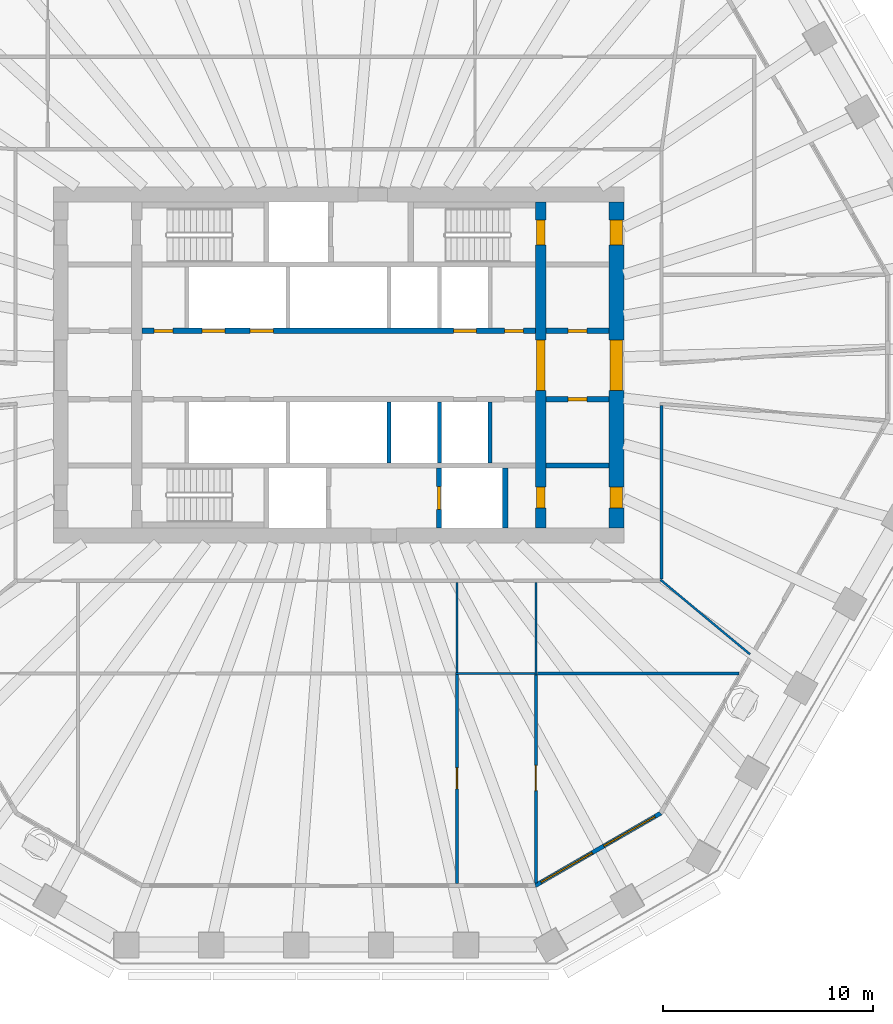
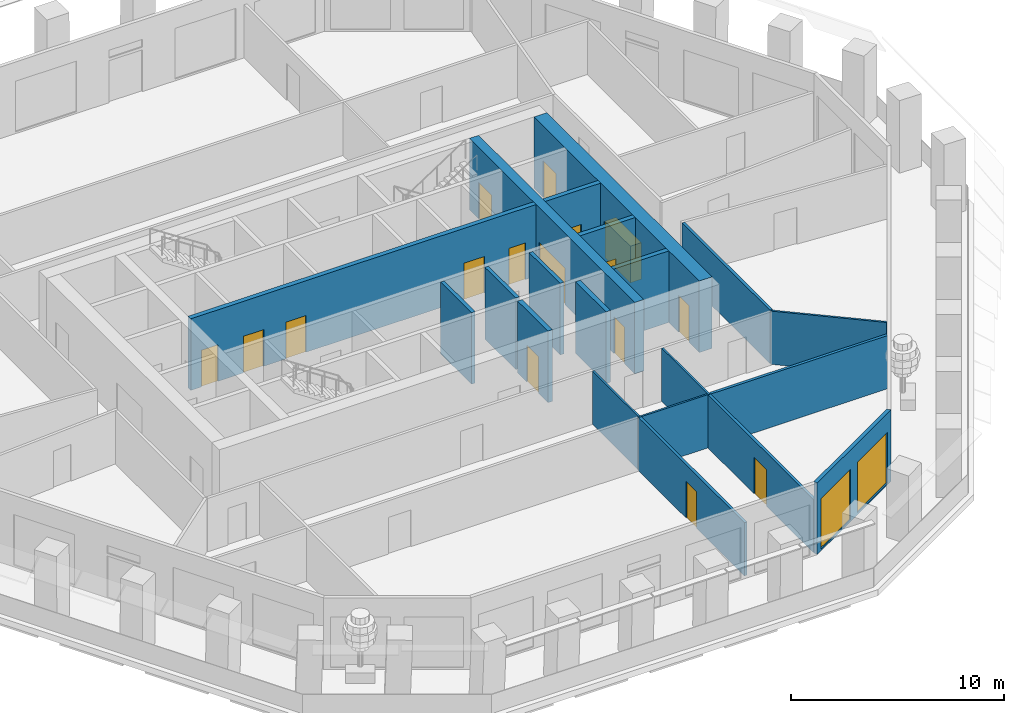
# One storey, part 5 of 12: 20 walls, 16 doors, 2 windows, 18 openings.
"""IFC4 building model written with IfcOpenShell, lengths in metres."""

from ifc_helpers import new_model, si_unit, direction, frame, frame_2d, origin, place, context, subcontext, project, spatial, polyline, rectangle, outline, extrude, material, layer, layer_set, type_object, element, fill, save


model = new_model("IFC4")

# Units and contexts
model_context = context("Model", 3, precision=1e-05, world=origin(), true_north=direction((0.0, 1.0)))
body_context = subcontext(model_context, "Body", "Model", "MODEL_VIEW")
ifc_project = project(units=[si_unit("LENGTHUNIT", "METRE"), si_unit("AREAUNIT", "SQUARE_METRE"), si_unit("VOLUMEUNIT", "CUBIC_METRE"), si_unit("PLANEANGLEUNIT", "RADIAN"), si_unit("MASSUNIT", "GRAM", prefix="KILO")], contexts=[model_context])

# Site, building, storey
site_placement = place(None, origin())
site = spatial("IfcSite", under=ifc_project, at=site_placement, CompositionType="ELEMENT")
building_placement = place(site_placement, origin())
building = spatial("IfcBuilding", under=site, at=building_placement, Name="Frailejon Research Tower", CompositionType="ELEMENT")
storey_placement = place(building_placement, frame((0.0, 0.0, 171.60009765625)))
storey = spatial("IfcBuildingStorey", under=building, at=storey_placement, Name="L37", CompositionType="ELEMENT", Elevation=171.60009765625)

# Wall, openings, doors
ifc_material_1 = material(Name="Concrete C60/75", Category="concrete")
ifc_layer_1 = layer(ifc_material_1, 0.5)
ifc_layer_set_1 = layer_set([ifc_layer_1], Name="Core shear wall 500 C60/75")
wall_type_1 = type_object("IfcWallType", Name="Core shear wall 500 C60/75", PredefinedType="SHEAR", material=ifc_layer_set_1)
wall_1_placement = place(storey_placement, frame((9.60009765625, -7.75, 0.0), z_axis=(0.0, 0.0, 1.0), x_axis=(0.0, 1.0, 0.0)))
wall_1 = element("IfcWall", 1, at=wall_1_placement, inside=storey, type_object=wall_type_1, Name="Core shear wall", PredefinedType="SHEAR", context=body_context, shape_type="SweptSolid", body=[
    extrude(rectangle(XDim=15.5, YDim=0.5, at=frame_2d((7.75, 0.0))), origin(), (0.0, 0.0, 1.0), 4.099853515625),
])
opening_1_placement = place(wall_1_placement, frame((6.550048828125, 0.0, 0.0)))
opening_1 = element("IfcOpeningElement", 2, at=opening_1_placement, cuts=wall_1, Name="Opening D2", PredefinedType="OPENING", context=body_context, shape_type="SweptSolid", body=[
    extrude(rectangle(XDim=2.39990234375, YDim=2.10009765625, at=frame_2d((1.199951171875, 1.050048828125))), frame((0.0, 0.260009765625, 0.0), z_axis=(0.0, -1.0, 0.0), x_axis=(1.0, 0.0, 0.0)), (0.0, 0.0, 1.0), 0.52001953125),
])
opening_2_placement = place(wall_1_placement, frame((13.449951171875, 0.0, 0.0)))
opening_2 = element("IfcOpeningElement", 3, at=opening_2_placement, cuts=wall_1, Name="Opening D1", PredefinedType="OPENING", context=body_context, shape_type="SweptSolid", body=[
    extrude(rectangle(XDim=1.199951171875, YDim=2.10009765625, at=frame_2d((0.60009765625, 1.050048828125))), frame((0.0, 0.260009765625, 0.0), z_axis=(0.0, -1.0, 0.0), x_axis=(1.0, 0.0, 0.0)), (0.0, 0.0, 1.0), 0.52001953125),
])
opening_3_placement = place(wall_1_placement, frame((0.949951171875, 0.0, 0.0)))
opening_3 = element("IfcOpeningElement", 4, at=opening_3_placement, cuts=wall_1, Name="Opening D4", PredefinedType="OPENING", context=body_context, shape_type="SweptSolid", body=[
    extrude(rectangle(XDim=1.0, YDim=2.10009765625, at=frame_2d((0.5, 1.050048828125))), frame((0.0, 0.260009765625, 0.0), z_axis=(0.0, -1.0, 0.0), x_axis=(1.0, 0.0, 0.0)), (0.0, 0.0, 1.0), 0.52001953125),
])
ifc_material_2 = material(Name="Steel", Category="steel")
door_type_1 = type_object("IfcDoorType", Name="Lobby double door", OperationType="DOUBLE_DOOR_SINGLE_SWING", PredefinedType="DOOR", material=ifc_material_2)
door_1_placement = place(opening_1_placement, origin())
door_1 = element("IfcDoor", 5, at=door_1_placement, inside=storey, type_object=door_type_1, Name="Lobby door", OperationType="DOUBLE_DOOR_SINGLE_SWING", OverallHeight=2.10009765625, OverallWidth=2.39990234375, PredefinedType="DOOR", context=body_context, shape_type="SweptSolid", body=[
    extrude(rectangle(XDim=2.39990234375, YDim=2.10009765625, at=frame_2d((1.199951171875, 1.050048828125))), frame((0.0, 0.199951171875, 0.0), z_axis=(0.0, -1.0, 0.0), x_axis=(1.0, 0.0, 0.0)), (0.0, 0.0, 1.0), 0.39990234375),
])
fill(opening_1, door_1)
ifc_material_3 = material(Name="Steel", Category="steel")
door_type_2 = type_object("IfcDoorType", Name="Service door", OperationType="SINGLE_SWING_LEFT", PredefinedType="DOOR", material=ifc_material_3)
door_2_placement = place(opening_3_placement, origin())
door_2 = element("IfcDoor", 6, at=door_2_placement, inside=storey, type_object=door_type_2, Name="Riser door", OperationType="SINGLE_SWING_LEFT", OverallHeight=2.10009765625, OverallWidth=1.0, PredefinedType="DOOR", context=body_context, shape_type="SweptSolid", body=[
    extrude(rectangle(XDim=1.0, YDim=2.10009765625, at=frame_2d((0.5, 1.050048828125))), frame((0.0, 0.199951171875, 0.0), z_axis=(0.0, -1.0, 0.0), x_axis=(1.0, 0.0, 0.0)), (0.0, 0.0, 1.0), 0.39990234375),
])
fill(opening_3, door_2)
ifc_material_4 = material(Name="Steel", Category="steel")
door_type_3 = type_object("IfcDoorType", Name="Stair door", OperationType="SINGLE_SWING_LEFT", PredefinedType="DOOR", material=ifc_material_4)
door_3_placement = place(opening_2_placement, origin())
door_3 = element("IfcDoor", 7, at=door_3_placement, inside=storey, type_object=door_type_3, Name="Stair door ST3", OperationType="SINGLE_SWING_LEFT", OverallHeight=2.10009765625, OverallWidth=1.199951171875, PredefinedType="DOOR", context=body_context, shape_type="SweptSolid", body=[
    extrude(rectangle(XDim=1.199951171875, YDim=2.10009765625, at=frame_2d((0.60009765625, 1.050048828125))), frame((0.0, 0.199951171875, 0.0), z_axis=(0.0, -1.0, 0.0), x_axis=(1.0, 0.0, 0.0)), (0.0, 0.0, 1.0), 0.39990234375),
])
fill(opening_2, door_3)

ifc_material_5 = material(Name="Concrete C60/75", Category="concrete")
ifc_layer_2 = layer(ifc_material_5, 0.699951171875)
ifc_layer_set_2 = layer_set([ifc_layer_2], Name="Core shear wall 700 C60/75")
wall_type_2 = type_object("IfcWallType", Name="Core shear wall 700 C60/75", PredefinedType="SHEAR", material=ifc_layer_set_2)
wall_2_placement = place(storey_placement, frame((13.199951171875, -7.75, 0.0), z_axis=(0.0, 0.0, 1.0), x_axis=(0.0, 1.0, 0.0)))
wall_2 = element("IfcWall", 8, at=wall_2_placement, inside=storey, type_object=wall_type_2, Name="Core shear wall", PredefinedType="SHEAR", context=body_context, shape_type="SweptSolid", body=[
    extrude(rectangle(XDim=15.5, YDim=0.699951171875, at=frame_2d((7.75, 0.0))), origin(), (0.0, 0.0, 1.0), 4.099853515625),
])
opening_4_placement = place(wall_2_placement, frame((6.550048828125, 0.0, 0.0)))
opening_4 = element("IfcOpeningElement", 9, at=opening_4_placement, cuts=wall_2, Name="Opening D2", PredefinedType="OPENING", context=body_context, shape_type="SweptSolid", body=[
    extrude(rectangle(XDim=2.39990234375, YDim=2.10009765625, at=frame_2d((1.199951171875, 1.050048828125))), frame((0.0, 0.35986328125, 0.0), z_axis=(0.0, -1.0, 0.0), x_axis=(1.0, 0.0, 0.0)), (0.0, 0.0, 1.0), 0.719970703125),
])
opening_5_placement = place(wall_2_placement, frame((13.449951171875, 0.0, 0.0)))
opening_5 = element("IfcOpeningElement", 10, at=opening_5_placement, cuts=wall_2, Name="Opening D7", PredefinedType="OPENING", context=body_context, shape_type="SweptSolid", body=[
    extrude(rectangle(XDim=1.199951171875, YDim=2.10009765625, at=frame_2d((0.60009765625, 1.050048828125))), frame((0.0, 0.35986328125, 0.0), z_axis=(0.0, -1.0, 0.0), x_axis=(1.0, 0.0, 0.0)), (0.0, 0.0, 1.0), 0.719970703125),
])
opening_6_placement = place(wall_2_placement, frame((0.949951171875, 0.0, 0.0)))
opening_6 = element("IfcOpeningElement", 11, at=opening_6_placement, cuts=wall_2, Name="Opening D4", PredefinedType="OPENING", context=body_context, shape_type="SweptSolid", body=[
    extrude(rectangle(XDim=1.0, YDim=2.10009765625, at=frame_2d((0.5, 1.050048828125))), frame((0.0, 0.35986328125, 0.0), z_axis=(0.0, -1.0, 0.0), x_axis=(1.0, 0.0, 0.0)), (0.0, 0.0, 1.0), 0.719970703125),
])
door_4_placement = place(opening_4_placement, origin())
door_4 = element("IfcDoor", 12, at=door_4_placement, inside=storey, type_object=door_type_1, Name="Lobby door", OperationType="DOUBLE_DOOR_SINGLE_SWING", OverallHeight=2.10009765625, OverallWidth=2.39990234375, PredefinedType="DOOR", context=body_context, shape_type="SweptSolid", body=[
    extrude(rectangle(XDim=2.39990234375, YDim=2.10009765625, at=frame_2d((1.199951171875, 1.050048828125))), frame((0.0, 0.300048828125, 0.0), z_axis=(0.0, -1.0, 0.0), x_axis=(1.0, 0.0, 0.0)), (0.0, 0.0, 1.0), 0.60009765625),
])
fill(opening_4, door_4)
door_5_placement = place(opening_6_placement, origin())
door_5 = element("IfcDoor", 13, at=door_5_placement, inside=storey, type_object=door_type_2, Name="Store door", OperationType="SINGLE_SWING_RIGHT", OverallHeight=2.10009765625, OverallWidth=1.0, PredefinedType="DOOR", context=body_context, shape_type="SweptSolid", body=[
    extrude(rectangle(XDim=1.0, YDim=2.10009765625, at=frame_2d((0.5, 1.050048828125))), frame((0.0, 0.300048828125, 0.0), z_axis=(0.0, -1.0, 0.0), x_axis=(1.0, 0.0, 0.0)), (0.0, 0.0, 1.0), 0.60009765625),
])
fill(opening_6, door_5)
ifc_material_6 = material(Name="Steel", Category="steel")
door_type_4 = type_object("IfcDoorType", Name="Stair exit door", OperationType="SINGLE_SWING_LEFT", PredefinedType="DOOR", material=ifc_material_6)
door_6_placement = place(opening_5_placement, origin())
door_6 = element("IfcDoor", 14, at=door_6_placement, inside=storey, type_object=door_type_4, Name="Stair exit door ST3", OperationType="SINGLE_SWING_RIGHT", OverallHeight=2.10009765625, OverallWidth=1.199951171875, PredefinedType="DOOR", context=body_context, shape_type="SweptSolid", body=[
    extrude(rectangle(XDim=1.199951171875, YDim=2.10009765625, at=frame_2d((0.60009765625, 1.050048828125))), frame((0.0, 0.300048828125, 0.0), z_axis=(0.0, -1.0, 0.0), x_axis=(1.0, 0.0, 0.0)), (0.0, 0.0, 1.0), 0.60009765625),
])
fill(opening_5, door_6)

# Walls
ifc_material_7 = material(Name="Gypsum board and masonry partition", Category="masonry")
ifc_layer_3 = layer(ifc_material_7, 0.14990234375)
ifc_layer_set_3 = layer_set([ifc_layer_3], Name="Corridor wall EI 60, gypsum on steel studs 150")
wall_type_3 = type_object("IfcWallType", Name="Corridor wall EI 60, gypsum on steel studs 150", PredefinedType="PARTITIONING", material=ifc_layer_set_3)
wall_3_placement = place(storey_placement, frame((15.35009765625, -10.175048828125, 0.0), z_axis=(0.0, 0.0, 1.0), x_axis=(0.0, 1.0, 0.0)))
element("IfcWall", 15, at=wall_3_placement, inside=storey, type_object=wall_type_3, Name="T:IW:L37:001", PredefinedType="PARTITIONING", context=body_context, shape_type="SweptSolid", body=[
    extrude(rectangle(XDim=8.24755859375, YDim=0.14990234375, at=frame_2d((4.123779296875, 0.0))), origin(), (0.0, 0.0, 1.0), 3.0498046875),
])
ifc_material_8 = material(Name="Gypsum board and masonry partition", Category="masonry")
ifc_layer_4 = layer(ifc_material_8, 0.14990234375)
ifc_layer_set_4 = layer_set([ifc_layer_4], Name="Laboratory partition, blockwork 150")
wall_type_4 = type_object("IfcWallType", Name="Laboratory partition, blockwork 150", PredefinedType="PARTITIONING", material=ifc_layer_set_4)
wall_4_placement = place(storey_placement, frame((9.452392578125, -14.64990234375, 0.0), z_axis=(0.0, 0.0, 1.0), x_axis=(1.0, 0.0, 0.0)))
element("IfcWall", 16, at=wall_4_placement, inside=storey, type_object=wall_type_4, Name="T:IW:L37:021", PredefinedType="PARTITIONING", context=body_context, shape_type="SweptSolid", body=[
    extrude(rectangle(XDim=9.5712890625, YDim=0.14990234375, at=frame_2d((4.78564453125, 0.0))), origin(), (0.0, 0.0, 1.0), 3.0498046875),
])

# Wall, opening, door
wall_5_placement = place(storey_placement, frame((5.62646484375, -24.629638671875, 0.0), z_axis=(0.0, 0.0, 1.0), x_axis=(0.0, 1.0, 0.0)))
wall_5 = element("IfcWall", 17, at=wall_5_placement, inside=storey, type_object=wall_type_4, Name="T:IW:L37:023", PredefinedType="PARTITIONING", context=body_context, shape_type="SweptSolid", body=[
    extrude(rectangle(XDim=9.9296875, YDim=0.14990234375, at=frame_2d((4.96484375, 0.0))), origin(), (0.0, 0.0, 1.0), 3.0498046875),
])
opening_7_placement = place(wall_5_placement, frame((4.48974609375, 0.0, 0.0)))
opening_7 = element("IfcOpeningElement", 18, at=opening_7_placement, cuts=wall_5, Name="Opening D1818", PredefinedType="OPENING", context=body_context, shape_type="SweptSolid", body=[
    extrude(rectangle(XDim=1.0, YDim=2.10009765625, at=frame_2d((0.5, 1.050048828125))), frame((0.0, 0.0849609375, 0.0), z_axis=(0.0, -1.0, 0.0), x_axis=(1.0, 0.0, 0.0)), (0.0, 0.0, 1.0), 0.169921875),
])
ifc_material_9 = material(Name="Timber door leaf", Category="wood")
door_type_5 = type_object("IfcDoorType", Name="Door single leaf, timber, steel frame 1000", OperationType="NOTDEFINED", PredefinedType="DOOR", material=ifc_material_9)
door_7_placement = place(opening_7_placement, origin())
door_7 = element("IfcDoor", 19, at=door_7_placement, inside=storey, type_object=door_type_5, Name="D1818", OperationType="SINGLE_SWING_RIGHT", OverallHeight=2.10009765625, OverallWidth=1.0, PredefinedType="DOOR", context=body_context, shape_type="SweptSolid", body=[
    extrude(rectangle(XDim=1.0, YDim=2.10009765625, at=frame_2d((0.5, 1.050048828125))), frame((0.0, 0.02490234375, 0.0), z_axis=(0.0, -1.0, 0.0), x_axis=(1.0, 0.0, 0.0)), (0.0, 0.0, 1.0), 0.050048828125),
])
fill(opening_7, door_7)

wall_6_placement = place(storey_placement, frame((9.37744140625, -24.5986328125, 0.0), z_axis=(0.0, 0.0, 1.0), x_axis=(0.0, 1.0, 0.0)))
wall_6 = element("IfcWall", 20, at=wall_6_placement, inside=storey, type_object=wall_type_4, Name="T:IW:L37:024", PredefinedType="PARTITIONING", context=body_context, shape_type="SweptSolid", body=[
    extrude(rectangle(XDim=9.898681640625, YDim=0.14990234375, at=frame_2d((4.94921875, 0.0))), origin(), (0.0, 0.0, 1.0), 3.0498046875),
])
opening_8_placement = place(wall_6_placement, frame((4.37451171875, 0.0, 0.0)))
opening_8 = element("IfcOpeningElement", 21, at=opening_8_placement, cuts=wall_6, Name="Opening D1820", PredefinedType="OPENING", context=body_context, shape_type="SweptSolid", body=[
    extrude(rectangle(XDim=1.199951171875, YDim=2.10009765625, at=frame_2d((0.60009765625, 1.050048828125))), frame((0.0, 0.0849609375, 0.0), z_axis=(0.0, -1.0, 0.0), x_axis=(1.0, 0.0, 0.0)), (0.0, 0.0, 1.0), 0.169921875),
])
ifc_material_10 = material(Name="Timber door leaf", Category="wood")
door_type_6 = type_object("IfcDoorType", Name="Door laboratory, timber, vision panel 1200", OperationType="NOTDEFINED", PredefinedType="DOOR", material=ifc_material_10)
door_8_placement = place(opening_8_placement, origin())
door_8 = element("IfcDoor", 22, at=door_8_placement, inside=storey, type_object=door_type_6, Name="D1820", OperationType="DOUBLE_DOOR_SINGLE_SWING", OverallHeight=2.10009765625, OverallWidth=1.199951171875, PredefinedType="DOOR", context=body_context, shape_type="SweptSolid", body=[
    extrude(rectangle(XDim=1.199951171875, YDim=2.10009765625, at=frame_2d((0.60009765625, 1.050048828125))), frame((0.0, 0.02490234375, 0.0), z_axis=(0.0, -1.0, 0.0), x_axis=(1.0, 0.0, 0.0)), (0.0, 0.0, 1.0), 0.050048828125),
])
fill(opening_8, door_8)

# Walls
ifc_material_11 = material(Name="Gypsum board and masonry partition", Category="masonry")
ifc_layer_5 = layer(ifc_material_11, 0.10009765625)
ifc_layer_set_5 = layer_set([ifc_layer_5], Name="Partition, gypsum on steel studs 100")
wall_type_5 = type_object("IfcWallType", Name="Partition, gypsum on steel studs 100", PredefinedType="PARTITIONING", material=ifc_layer_set_5)
wall_7_placement = place(storey_placement, frame((5.62646484375, -14.60009765625, 0.0), z_axis=(0.0, 0.0, 1.0), x_axis=(0.0, 1.0, 0.0)))
element("IfcWall", 23, at=wall_7_placement, inside=storey, type_object=wall_type_5, Name="T:IW:L37:026", PredefinedType="PARTITIONING", context=body_context, shape_type="SweptSolid", body=[
    extrude(rectangle(XDim=4.275146484375, YDim=0.10009765625, at=frame_2d((2.1376953125, 0.0))), origin(), (0.0, 0.0, 1.0), 3.0498046875),
])
wall_8_placement = place(storey_placement, frame((5.551513671875, -14.64990234375, 0.0), z_axis=(0.0, 0.0, 1.0), x_axis=(1.0, 0.0, 0.0)))
element("IfcWall", 24, at=wall_8_placement, inside=storey, type_object=wall_type_5, Name="T:IW:L37:027", PredefinedType="PARTITIONING", context=body_context, shape_type="SweptSolid", body=[
    extrude(rectangle(XDim=3.77587890625, YDim=0.10009765625, at=frame_2d((1.887939453125, 0.0))), origin(), (0.0, 0.0, 1.0), 3.0498046875),
])
wall_9_placement = place(storey_placement, frame((9.37744140625, -14.72509765625, 0.0), z_axis=(0.0, 0.0, 1.0), x_axis=(0.0, 1.0, 0.0)))
element("IfcWall", 25, at=wall_9_placement, inside=storey, type_object=wall_type_5, Name="T:IW:L37:028", PredefinedType="PARTITIONING", context=body_context, shape_type="SweptSolid", body=[
    extrude(rectangle(XDim=4.400146484375, YDim=0.10009765625, at=frame_2d((2.2001953125, 0.0))), origin(), (0.0, 0.0, 1.0), 3.0498046875),
])
wall_10_placement = place(storey_placement, frame((15.29248046875, -10.201904296875, 0.0), z_axis=(0.0, 0.0, 1.0), x_axis=(0.768579042723, -0.639754839831, 0.0)))
element("IfcWall", 26, at=wall_10_placement, inside=storey, type_object=wall_type_5, Name="T:IW:L37:029", PredefinedType="PARTITIONING", context=body_context, shape_type="SweptSolid", body=[
    extrude(rectangle(XDim=5.53564453125, YDim=0.10009765625, at=frame_2d((2.767822265625, 0.0))), origin(), (0.0, 0.0, 1.0), 3.0498046875),
])
ifc_material_12 = material(Name="Concrete C60/75", Category="concrete")
ifc_layer_6 = layer(ifc_material_12, 0.199951171875)
ifc_layer_set_6 = layer_set([ifc_layer_6], Name="Shaft wall 200 C60/75")
wall_type_6 = type_object("IfcWallType", Name="Shaft wall 200 C60/75", PredefinedType="SOLIDWALL", material=ifc_layer_set_6)
for number, where, z_axis, x_axis, name in (
    (27, (2.39990234375, -4.64990234375, 0.0), (0.0, 0.0, 1.0), (0.0, 1.0, 0.0), "Shaft wall"),
    (28, (4.800048828125, -4.64990234375, 0.0), (0.0, 0.0, 1.0), (0.0, 1.0, 0.0), "Shaft wall"),
    (29, (7.199951171875, -4.64990234375, 0.0), (0.0, 0.0, 1.0), (0.0, 1.0, 0.0), "Shaft wall"),
):
    element("IfcWall", number, at=place(storey_placement, frame(where, z_axis=z_axis, x_axis=x_axis)), inside=storey, type_object=wall_type_6, Name=name, PredefinedType="SOLIDWALL", context=body_context, shape_type="SweptSolid", body=[
        extrude(rectangle(XDim=2.89990234375, YDim=0.199951171875, at=frame_2d((1.449951171875, 0.0))), origin(), (0.0, 0.0, 1.0), 4.099853515625),
    ])

# Wall, openings, doors
ifc_material_13 = material(Name="Concrete C60/75", Category="concrete")
ifc_layer_7 = layer(ifc_material_13, 0.25)
ifc_layer_set_7 = layer_set([ifc_layer_7], Name="Shaft wall 250 C60/75")
wall_type_7 = type_object("IfcWallType", Name="Shaft wall 250 C60/75", PredefinedType="SOLIDWALL", material=ifc_layer_set_7)
wall_11_placement = place(storey_placement, frame((-9.35009765625, 1.625, 0.0), z_axis=(0.0, 0.0, 1.0), x_axis=(1.0, 0.0, 0.0)))
wall_11 = element("IfcWall", 30, at=wall_11_placement, inside=storey, type_object=wall_type_7, Name="Shaft wall", PredefinedType="SOLIDWALL", context=body_context, shape_type="SweptSolid", body=[
    extrude(rectangle(XDim=18.7001953125, YDim=0.25, at=frame_2d((9.35009765625, 0.0))), origin(), (0.0, 0.0, 1.0), 4.099853515625),
])
opening_9_placement = place(wall_11_placement, frame((2.85009765625, 0.0, 0.0)))
opening_9 = element("IfcOpeningElement", 31, at=opening_9_placement, cuts=wall_11, Name="Opening LD", PredefinedType="OPENING", context=body_context, shape_type="SweptSolid", body=[
    extrude(rectangle(XDim=1.10009765625, YDim=2.10009765625, at=frame_2d((0.550048828125, 1.050048828125))), frame((0.0, 0.135009765625, 0.0), z_axis=(0.0, -1.0, 0.0), x_axis=(1.0, 0.0, 0.0)), (0.0, 0.0, 1.0), 0.27001953125),
])
opening_10_placement = place(wall_11_placement, frame((5.14990234375, 0.0, 0.0)))
opening_10 = element("IfcOpeningElement", 32, at=opening_10_placement, cuts=wall_11, Name="Opening LD", PredefinedType="OPENING", context=body_context, shape_type="SweptSolid", body=[
    extrude(rectangle(XDim=1.10009765625, YDim=2.10009765625, at=frame_2d((0.550048828125, 1.050048828125))), frame((0.0, 0.135009765625, 0.0), z_axis=(0.0, -1.0, 0.0), x_axis=(1.0, 0.0, 0.0)), (0.0, 0.0, 1.0), 0.27001953125),
])
opening_11_placement = place(wall_11_placement, frame((14.800048828125, 0.0, 0.0)))
opening_11 = element("IfcOpeningElement", 33, at=opening_11_placement, cuts=wall_11, Name="Opening LD", PredefinedType="OPENING", context=body_context, shape_type="SweptSolid", body=[
    extrude(rectangle(XDim=1.10009765625, YDim=2.10009765625, at=frame_2d((0.550048828125, 1.050048828125))), frame((0.0, 0.135009765625, 0.0), z_axis=(0.0, -1.0, 0.0), x_axis=(1.0, 0.0, 0.0)), (0.0, 0.0, 1.0), 0.27001953125),
])
opening_12_placement = place(wall_11_placement, frame((0.574951171875, 0.0, 0.0)))
opening_12 = element("IfcOpeningElement", 34, at=opening_12_placement, cuts=wall_11, Name="Opening D8", PredefinedType="OPENING", context=body_context, shape_type="SweptSolid", body=[
    extrude(rectangle(XDim=0.89990234375, YDim=2.10009765625, at=frame_2d((0.449951171875, 1.050048828125))), frame((0.0, 0.135009765625, 0.0), z_axis=(0.0, -1.0, 0.0), x_axis=(1.0, 0.0, 0.0)), (0.0, 0.0, 1.0), 0.27001953125),
])
opening_13_placement = place(wall_11_placement, frame((17.22509765625, 0.0, 0.0)))
opening_13 = element("IfcOpeningElement", 35, at=opening_13_placement, cuts=wall_11, Name="Opening D8", PredefinedType="OPENING", context=body_context, shape_type="SweptSolid", body=[
    extrude(rectangle(XDim=0.89990234375, YDim=2.10009765625, at=frame_2d((0.449951171875, 1.050048828125))), frame((0.0, 0.135009765625, 0.0), z_axis=(0.0, -1.0, 0.0), x_axis=(1.0, 0.0, 0.0)), (0.0, 0.0, 1.0), 0.27001953125),
])
ifc_material_14 = material(Name="Steel", Category="steel")
door_type_7 = type_object("IfcDoorType", Name="Core room door", OperationType="SINGLE_SWING_LEFT", PredefinedType="DOOR", material=ifc_material_14)
door_9_placement = place(opening_12_placement, origin())
door_9 = element("IfcDoor", 36, at=door_9_placement, inside=storey, type_object=door_type_7, Name="Room door", OperationType="SINGLE_SWING_RIGHT", OverallHeight=2.10009765625, OverallWidth=0.89990234375, PredefinedType="DOOR", context=body_context, shape_type="SweptSolid", body=[
    extrude(rectangle(XDim=0.89990234375, YDim=2.10009765625, at=frame_2d((0.449951171875, 1.050048828125))), frame((0.0, 0.074951171875, 0.0), z_axis=(0.0, -1.0, 0.0), x_axis=(1.0, 0.0, 0.0)), (0.0, 0.0, 1.0), 0.14990234375),
])
fill(opening_12, door_9)
door_10_placement = place(opening_13_placement, origin())
door_10 = element("IfcDoor", 37, at=door_10_placement, inside=storey, type_object=door_type_7, Name="Room door", OperationType="SINGLE_SWING_LEFT", OverallHeight=2.10009765625, OverallWidth=0.89990234375, PredefinedType="DOOR", context=body_context, shape_type="SweptSolid", body=[
    extrude(rectangle(XDim=0.89990234375, YDim=2.10009765625, at=frame_2d((0.449951171875, 1.050048828125))), frame((0.0, 0.074951171875, 0.0), z_axis=(0.0, -1.0, 0.0), x_axis=(1.0, 0.0, 0.0)), (0.0, 0.0, 1.0), 0.14990234375),
])
fill(opening_13, door_10)
ifc_material_15 = material(Name="Steel", Category="steel")
door_type_8 = type_object("IfcDoorType", Name="Lift landing door", OperationType="DOUBLE_DOOR_SLIDING", PredefinedType="DOOR", material=ifc_material_15)
door_11_placement = place(opening_9_placement, origin())
door_11 = element("IfcDoor", 38, at=door_11_placement, inside=storey, type_object=door_type_8, Name="Lift landing door", OperationType="DOUBLE_DOOR_SLIDING", OverallHeight=2.10009765625, OverallWidth=1.10009765625, PredefinedType="DOOR", context=body_context, shape_type="SweptSolid", body=[
    extrude(rectangle(XDim=1.10009765625, YDim=2.10009765625, at=frame_2d((0.550048828125, 1.050048828125))), frame((0.0, 0.074951171875, 0.0), z_axis=(0.0, -1.0, 0.0), x_axis=(1.0, 0.0, 0.0)), (0.0, 0.0, 1.0), 0.14990234375),
])
fill(opening_9, door_11)
door_12_placement = place(opening_10_placement, origin())
door_12 = element("IfcDoor", 39, at=door_12_placement, inside=storey, type_object=door_type_8, Name="Lift landing door", OperationType="DOUBLE_DOOR_SLIDING", OverallHeight=2.10009765625, OverallWidth=1.10009765625, PredefinedType="DOOR", context=body_context, shape_type="SweptSolid", body=[
    extrude(rectangle(XDim=1.10009765625, YDim=2.10009765625, at=frame_2d((0.550048828125, 1.050048828125))), frame((0.0, 0.074951171875, 0.0), z_axis=(0.0, -1.0, 0.0), x_axis=(1.0, 0.0, 0.0)), (0.0, 0.0, 1.0), 0.14990234375),
])
fill(opening_10, door_12)
door_13_placement = place(opening_11_placement, origin())
door_13 = element("IfcDoor", 40, at=door_13_placement, inside=storey, type_object=door_type_8, Name="Lift landing door", OperationType="DOUBLE_DOOR_SLIDING", OverallHeight=2.10009765625, OverallWidth=1.10009765625, PredefinedType="DOOR", context=body_context, shape_type="SweptSolid", body=[
    extrude(rectangle(XDim=1.10009765625, YDim=2.10009765625, at=frame_2d((0.550048828125, 1.050048828125))), frame((0.0, 0.074951171875, 0.0), z_axis=(0.0, -1.0, 0.0), x_axis=(1.0, 0.0, 0.0)), (0.0, 0.0, 1.0), 0.14990234375),
])
fill(opening_11, door_13)

# Wall, opening, door
wall_12_placement = place(storey_placement, frame((9.85009765625, 1.625, 0.0), z_axis=(0.0, 0.0, 1.0), x_axis=(1.0, 0.0, 0.0)))
wall_12 = element("IfcWall", 41, at=wall_12_placement, inside=storey, type_object=wall_type_7, Name="Shaft wall", PredefinedType="SOLIDWALL", context=body_context, shape_type="SweptSolid", body=[
    extrude(rectangle(XDim=3.0, YDim=0.25, at=frame_2d((1.5, 0.0))), origin(), (0.0, 0.0, 1.0), 4.099853515625),
])
opening_14_placement = place(wall_12_placement, frame((1.050048828125, 0.0, 0.0)))
opening_14 = element("IfcOpeningElement", 42, at=opening_14_placement, cuts=wall_12, Name="Opening D8", PredefinedType="OPENING", context=body_context, shape_type="SweptSolid", body=[
    extrude(rectangle(XDim=0.89990234375, YDim=2.10009765625, at=frame_2d((0.449951171875, 1.050048828125))), frame((0.0, 0.135009765625, 0.0), z_axis=(0.0, -1.0, 0.0), x_axis=(1.0, 0.0, 0.0)), (0.0, 0.0, 1.0), 0.27001953125),
])
door_14_placement = place(opening_14_placement, origin())
door_14 = element("IfcDoor", 43, at=door_14_placement, inside=storey, type_object=door_type_7, Name="Room door", OperationType="SINGLE_SWING_RIGHT", OverallHeight=2.10009765625, OverallWidth=0.89990234375, PredefinedType="DOOR", context=body_context, shape_type="SweptSolid", body=[
    extrude(rectangle(XDim=0.89990234375, YDim=2.10009765625, at=frame_2d((0.449951171875, 1.050048828125))), frame((0.0, 0.074951171875, 0.0), z_axis=(0.0, -1.0, 0.0), x_axis=(1.0, 0.0, 0.0)), (0.0, 0.0, 1.0), 0.14990234375),
])
fill(opening_14, door_14)

wall_13_placement = place(storey_placement, frame((9.85009765625, -1.625, 0.0), z_axis=(0.0, 0.0, 1.0), x_axis=(1.0, 0.0, 0.0)))
wall_13 = element("IfcWall", 44, at=wall_13_placement, inside=storey, type_object=wall_type_7, Name="Shaft wall", PredefinedType="SOLIDWALL", context=body_context, shape_type="SweptSolid", body=[
    extrude(rectangle(XDim=3.0, YDim=0.25, at=frame_2d((1.5, 0.0))), origin(), (0.0, 0.0, 1.0), 4.099853515625),
])
opening_15_placement = place(wall_13_placement, frame((1.050048828125, 0.0, 0.0)))
opening_15 = element("IfcOpeningElement", 45, at=opening_15_placement, cuts=wall_13, Name="Opening D8", PredefinedType="OPENING", context=body_context, shape_type="SweptSolid", body=[
    extrude(rectangle(XDim=0.89990234375, YDim=2.10009765625, at=frame_2d((0.449951171875, 1.050048828125))), frame((0.0, 0.135009765625, 0.0), z_axis=(0.0, -1.0, 0.0), x_axis=(1.0, 0.0, 0.0)), (0.0, 0.0, 1.0), 0.27001953125),
])
door_15_placement = place(opening_15_placement, origin())
door_15 = element("IfcDoor", 46, at=door_15_placement, inside=storey, type_object=door_type_7, Name="Room door", OperationType="SINGLE_SWING_RIGHT", OverallHeight=2.10009765625, OverallWidth=0.89990234375, PredefinedType="DOOR", context=body_context, shape_type="SweptSolid", body=[
    extrude(rectangle(XDim=0.89990234375, YDim=2.10009765625, at=frame_2d((0.449951171875, 1.050048828125))), frame((0.0, 0.074951171875, 0.0), z_axis=(0.0, -1.0, 0.0), x_axis=(1.0, 0.0, 0.0)), (0.0, 0.0, 1.0), 0.14990234375),
])
fill(opening_15, door_15)

# Wall
wall_14_placement = place(storey_placement, frame((9.85009765625, -4.77490234375, 0.0), z_axis=(0.0, 0.0, 1.0), x_axis=(1.0, 0.0, 0.0)))
element("IfcWall", 47, at=wall_14_placement, inside=storey, type_object=wall_type_7, Name="Shaft wall", PredefinedType="SOLIDWALL", context=body_context, shape_type="SweptSolid", body=[
    extrude(rectangle(XDim=3.0, YDim=0.25, at=frame_2d((1.5, 0.0))), origin(), (0.0, 0.0, 1.0), 4.099853515625),
])

# Wall, opening, door
wall_15_placement = place(storey_placement, frame((4.77490234375, -7.75, 0.0), z_axis=(0.0, 0.0, 1.0), x_axis=(0.0, 1.0, 0.0)))
wall_15 = element("IfcWall", 48, at=wall_15_placement, inside=storey, type_object=wall_type_7, Name="Shaft wall", PredefinedType="SOLIDWALL", context=body_context, shape_type="SweptSolid", body=[
    extrude(rectangle(XDim=2.85009765625, YDim=0.25, at=frame_2d((1.425048828125, 0.0))), origin(), (0.0, 0.0, 1.0), 4.099853515625),
])
opening_16_placement = place(wall_15_placement, frame((0.875, 0.0, 0.0)))
opening_16 = element("IfcOpeningElement", 49, at=opening_16_placement, cuts=wall_15, Name="Opening LD", PredefinedType="OPENING", context=body_context, shape_type="SweptSolid", body=[
    extrude(rectangle(XDim=1.10009765625, YDim=2.10009765625, at=frame_2d((0.550048828125, 1.050048828125))), frame((0.0, 0.135009765625, 0.0), z_axis=(0.0, -1.0, 0.0), x_axis=(1.0, 0.0, 0.0)), (0.0, 0.0, 1.0), 0.27001953125),
])
door_16_placement = place(opening_16_placement, origin())
door_16 = element("IfcDoor", 50, at=door_16_placement, inside=storey, type_object=door_type_8, Name="Lift landing door", OperationType="DOUBLE_DOOR_SLIDING", OverallHeight=2.10009765625, OverallWidth=1.10009765625, PredefinedType="DOOR", context=body_context, shape_type="SweptSolid", body=[
    extrude(rectangle(XDim=1.10009765625, YDim=2.10009765625, at=frame_2d((0.550048828125, 1.050048828125))), frame((0.0, 0.074951171875, 0.0), z_axis=(0.0, -1.0, 0.0), x_axis=(1.0, 0.0, 0.0)), (0.0, 0.0, 1.0), 0.14990234375),
])
fill(opening_16, door_16)

# Wall
wall_16_placement = place(storey_placement, frame((7.925048828125, -7.75, 0.0), z_axis=(0.0, 0.0, 1.0), x_axis=(0.0, 1.0, 0.0)))
element("IfcWall", 51, at=wall_16_placement, inside=storey, type_object=wall_type_7, Name="Shaft wall", PredefinedType="SOLIDWALL", context=body_context, shape_type="SweptSolid", body=[
    extrude(rectangle(XDim=2.85009765625, YDim=0.25, at=frame_2d((1.425048828125, 0.0))), origin(), (0.0, 0.0, 1.0), 4.099853515625),
])

# Wall, openings, windows
ifc_material_16 = material(Name="Concrete C40/50 precast window wall panel", Category="concrete")
ifc_layer_8 = layer(ifc_material_16, 0.199951171875)
ifc_layer_set_8 = layer_set([ifc_layer_8], Name="Window wall 200")
wall_type_8 = type_object("IfcWallType", Name="Window wall 200", PredefinedType="SOLIDWALL", material=ifc_layer_set_8)
wall_17_placement = place(storey_placement, frame((9.3505859375, -24.729736328125, 0.0), z_axis=(0.0, 0.0, 1.0), x_axis=(0.866014080581, 0.50001961185, 0.0)))
wall_17 = element("IfcWall", 52, at=wall_17_placement, inside=storey, type_object=wall_type_8, Name="Exterior wall L37", PredefinedType="SOLIDWALL", context=body_context, shape_type="SweptSolid", body=[
    extrude(outline(polyline([(-0.02685546875, -0.10009765625), (1.1279296875, -0.10009765625), (2.28271484375, -0.10009765625), (3.4375, -0.10009765625), (4.592041015625, -0.10009765625), (5.746826171875, -0.10009765625), (6.901611328125, -0.10009765625), (6.847900390625, 0.10009765625), (5.7109375, 0.10009765625), (4.57421875, 0.10009765625), (3.4375, 0.10009765625), (2.300537109375, 0.10009765625), (1.16357421875, 0.10009765625), (0.02685546875, 0.10009765625), (-0.02685546875, -0.10009765625)])), origin(), (0.0, 0.0, 1.0), 4.099853515625),
])
opening_17_placement = place(wall_17_placement, frame((0.318603515625, 0.0, 0.10009765625)))
opening_17 = element("IfcOpeningElement", 53, at=opening_17_placement, cuts=wall_17, Name="Opening W3", PredefinedType="OPENING", context=body_context, shape_type="SweptSolid", body=[
    extrude(rectangle(XDim=2.800048828125, YDim=2.89990234375, at=frame_2d((1.39990234375, 1.449951171875))), frame((0.0, 0.10986328125, 0.0), z_axis=(0.0, -1.0, 0.0), x_axis=(1.0, 0.0, 0.0)), (0.0, 0.0, 1.0), 0.219970703125),
])
opening_18_placement = place(wall_17_placement, frame((3.756103515625, 0.0, 0.10009765625)))
opening_18 = element("IfcOpeningElement", 54, at=opening_18_placement, cuts=wall_17, Name="Opening W3", PredefinedType="OPENING", context=body_context, shape_type="SweptSolid", body=[
    extrude(rectangle(XDim=2.800048828125, YDim=2.89990234375, at=frame_2d((1.39990234375, 1.449951171875))), frame((0.0, 0.10986328125, 0.0), z_axis=(0.0, -1.0, 0.0), x_axis=(1.0, 0.0, 0.0)), (0.0, 0.0, 1.0), 0.219970703125),
])
ifc_material_17 = material(Name="Aluminium framed double glazing", Category="aluminium")
window_type = type_object("IfcWindowType", Name="Window 2800x2900", PartitioningType="SINGLE_PANEL", PredefinedType="WINDOW", material=ifc_material_17)
window_1_placement = place(opening_17_placement, origin())
window_1 = element("IfcWindow", 55, at=window_1_placement, inside=storey, type_object=window_type, Name="Window L37", OverallHeight=2.89990234375, OverallWidth=2.800048828125, PartitioningType="SINGLE_PANEL", PredefinedType="WINDOW", context=body_context, shape_type="SweptSolid", body=[
    extrude(rectangle(XDim=2.800048828125, YDim=2.89990234375, at=frame_2d((1.39990234375, 1.449951171875))), frame((0.0, 0.030029296875, 0.0), z_axis=(0.0, -1.0, 0.0), x_axis=(1.0, 0.0, 0.0)), (0.0, 0.0, 1.0), 0.06005859375),
])
fill(opening_17, window_1)
window_2_placement = place(opening_18_placement, origin())
window_2 = element("IfcWindow", 56, at=window_2_placement, inside=storey, type_object=window_type, Name="Window L37", OverallHeight=2.89990234375, OverallWidth=2.800048828125, PartitioningType="SINGLE_PANEL", PredefinedType="WINDOW", context=body_context, shape_type="SweptSolid", body=[
    extrude(rectangle(XDim=2.800048828125, YDim=2.89990234375, at=frame_2d((1.39990234375, 1.449951171875))), frame((0.0, 0.030029296875, 0.0), z_axis=(0.0, -1.0, 0.0), x_axis=(1.0, 0.0, 0.0)), (0.0, 0.0, 1.0), 0.06005859375),
])
fill(opening_18, window_2)

save(model, "model.ifc")
